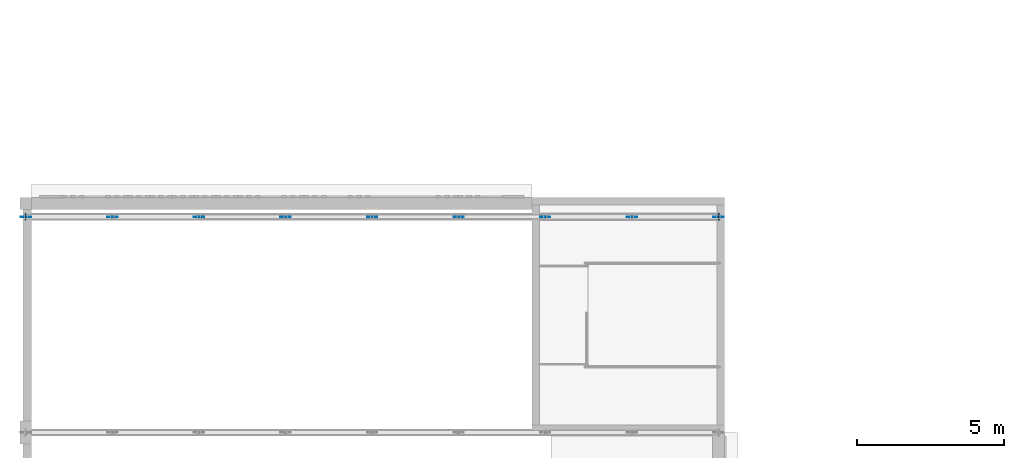
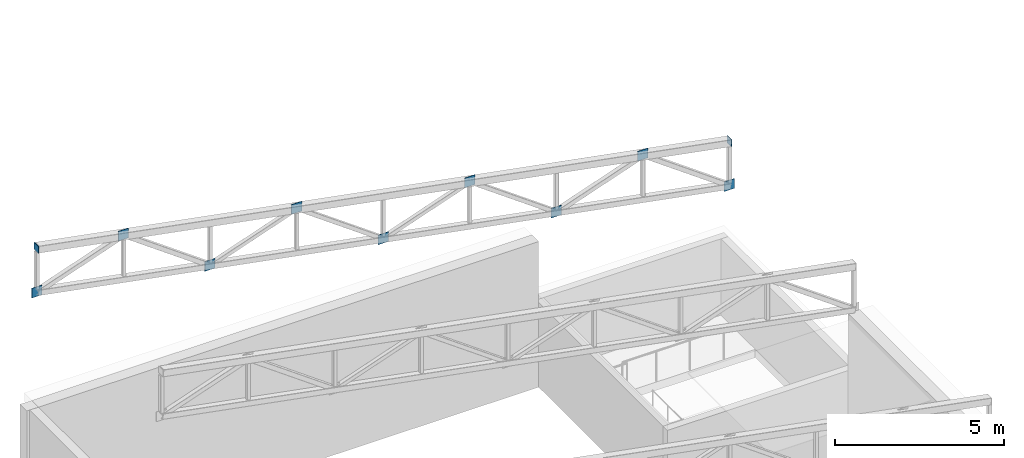
# One storey, part 87 of 125: 11 discrete accessories.
"""IFC4 building model written with IfcOpenShell, lengths in metres."""

from ifc_helpers import new_model, si_unit, direction, frame, origin, origin_2d, place, context, subcontext, project, spatial, rectangle, extrude, material, material_profile, profile_set, type_object, element, save


model = new_model("IFC4")

# Units and contexts
model_context = context("Model", 3, precision=1e-05, world=origin(), true_north=direction((0.0, 1.0)))
body_context = subcontext(model_context, "Body", "Model", "MODEL_VIEW")
ifc_project = project(units=[si_unit("LENGTHUNIT", "METRE"), si_unit("AREAUNIT", "SQUARE_METRE"), si_unit("VOLUMEUNIT", "CUBIC_METRE"), si_unit("PLANEANGLEUNIT", "RADIAN"), si_unit("MASSUNIT", "GRAM", prefix="KILO")], contexts=[model_context])

# Site, building, storey
site_placement = place(None, origin())
site = spatial("IfcSite", under=ifc_project, at=site_placement, CompositionType="ELEMENT")
building_placement = place(site_placement, origin())
building = spatial("IfcBuilding", under=site, at=building_placement, Name="Sun Court Science Centre", CompositionType="ELEMENT")
storey_placement = place(building_placement, frame((0.0, 0.0, 6.0)))
storey = spatial("IfcBuildingStorey", under=building, at=storey_placement, Name="L01", CompositionType="ELEMENT", Elevation=6.0)

# Discrete accessories
ifc_material_1 = material(Name="Steel S355", Category="steel")
discrete_accessory_type_1 = type_object("IfcDiscreteAccessoryType", Name="Hollow section end plate 20", PredefinedType="BRACKET", material=ifc_material_1)
for number, where, z_axis, x_axis, name in (
    (1, (0.18994140625, 71.35009765625, 10.79248046875), (0.0, 0.0, 1.0), (1.0, 0.0, 0.0), "Roof truss 4 top chord end plate"),
    (2, (23.81005859375, 71.35009765625, 6.367431640625), (0.0, 0.0, 1.0), (1.0, 0.0, 0.0), "Roof truss 4 top chord end plate"),
):
    element("IfcDiscreteAccessory", number, at=place(storey_placement, frame(where, z_axis=z_axis, x_axis=x_axis)), inside=storey, type_object=discrete_accessory_type_1, Name=name, PredefinedType="BRACKET", context=body_context, shape_type="SweptSolid", body=[
        extrude(rectangle(XDim=0.02001953125, YDim=0.25, at=origin_2d()), origin(), (0.0, 0.0, 1.0), 0.25),
    ])
ifc_material_2 = material(Name="Steel S355", Category="steel")
ifc_material_profile = material_profile(ifc_material_2, rectangle(XDim=0.35009765625, YDim=0.35009765625, at=origin_2d()), Name="PL 350x350")
ifc_profile_set = profile_set([ifc_material_profile], Name="Steel S355")
discrete_accessory_type_2 = type_object("IfcDiscreteAccessoryType", Name="Truss gusset plate 350x350x15", PredefinedType="BRACKET", material=ifc_profile_set)
for number, where, z_axis, x_axis, name in (
    (3, (0.199951171875, 71.342529296875, 9.342529296875), (0.0, 1.0, 0.0), (-1.0, 0.0, 0.0), "Truss gusset plate 28"),
    (4, (3.14990234375, 71.342529296875, 10.3642578125), (0.0, 1.0, 0.0), (-1.0, 0.0, 0.0), "Truss gusset plate 29"),
    (5, (6.10009765625, 71.342529296875, 8.236328125), (0.0, 1.0, 0.0), (-1.0, 0.0, 0.0), "Truss gusset plate 30"),
    (6, (9.050048828125, 71.342529296875, 9.258056640625), (0.0, 1.0, 0.0), (-1.0, 0.0, 0.0), "Truss gusset plate 31"),
    (7, (12.0, 71.342529296875, 7.1298828125), (0.0, 1.0, 0.0), (-1.0, 0.0, 0.0), "Truss gusset plate 32"),
    (8, (14.949951171875, 71.342529296875, 8.15185546875), (0.0, 1.0, 0.0), (-1.0, 0.0, 0.0), "Truss gusset plate 33"),
    (9, (17.89990234375, 71.342529296875, 6.023681640625), (0.0, 1.0, 0.0), (-1.0, 0.0, 0.0), "Truss gusset plate 34"),
    (10, (20.85009765625, 71.342529296875, 7.045654296875), (0.0, 1.0, 0.0), (-1.0, 0.0, 0.0), "Truss gusset plate 35"),
    (11, (23.800048828125, 71.342529296875, 4.91748046875), (0.0, 1.0, 0.0), (-1.0, 0.0, 0.0), "Truss gusset plate 36"),
):
    element("IfcDiscreteAccessory", number, at=place(storey_placement, frame(where, z_axis=z_axis, x_axis=x_axis)), inside=storey, type_object=discrete_accessory_type_2, Name=name, PredefinedType="BRACKET", context=body_context, shape_type="SweptSolid", body=[
        extrude(rectangle(XDim=0.35009765625, YDim=0.35009765625, at=origin_2d()), origin(), (0.0, 0.0, 1.0), 0.014892578125),
    ])

save(model, "model.ifc")
